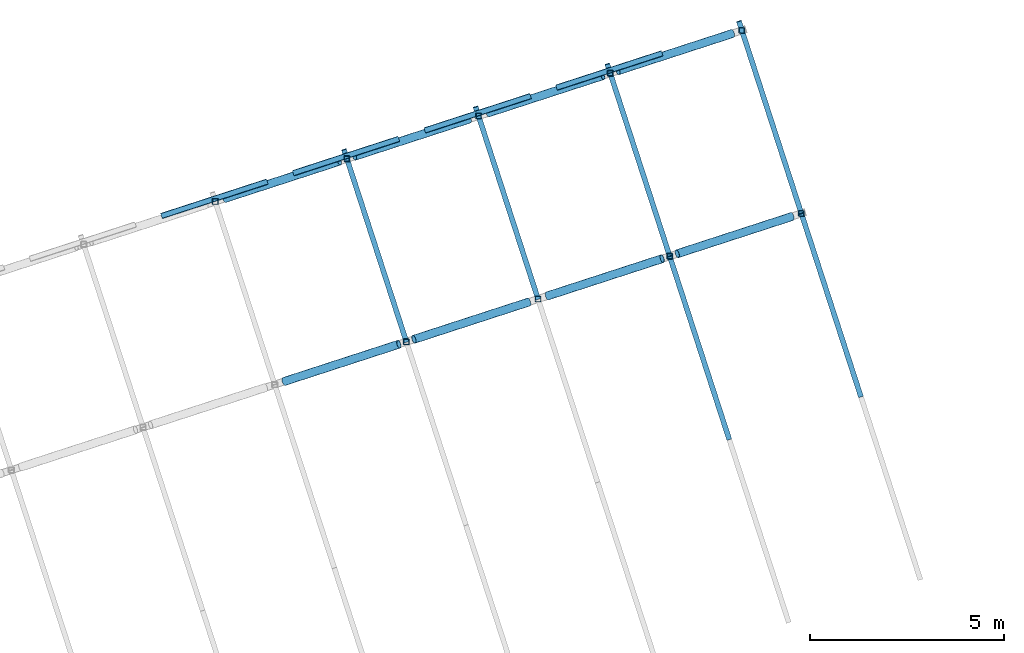
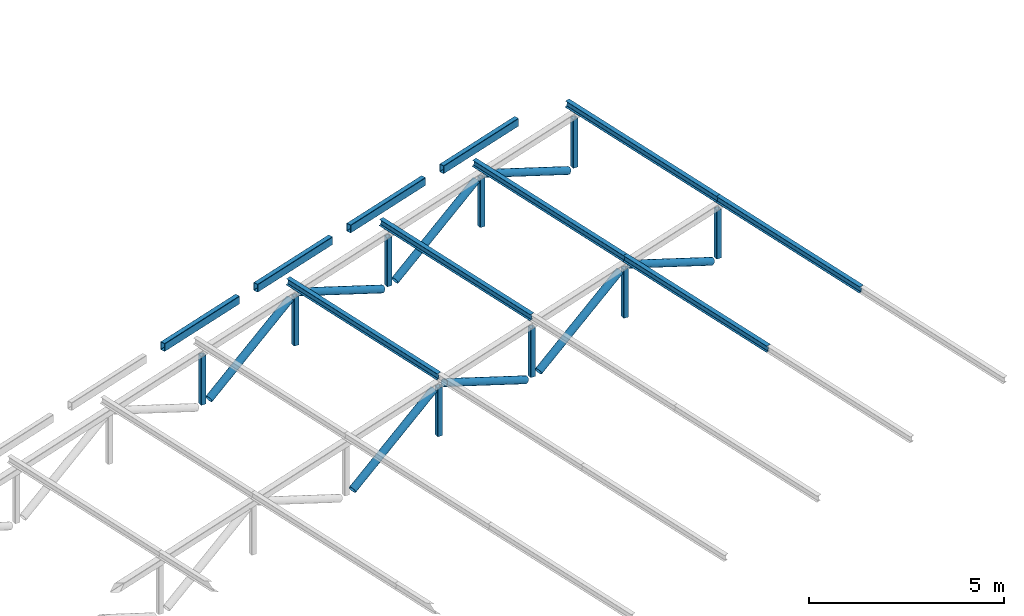
# One storey, part 8 of 43: 27 members.
"""IFC4 building model written with IfcOpenShell, lengths in metres."""

from ifc_helpers import new_model, si_unit, direction, frame, origin, origin_2d, place, context, subcontext, project, spatial, hollow_rectangle, hollow_circle, i_section, extrude, material, material_profile, profile_set, type_object, element, save


model = new_model("IFC4")

# Units and contexts
model_context = context("Model", 3, precision=1e-05, world=origin(), true_north=direction((0.0, 1.0)))
body_context = subcontext(model_context, "Body", "Model", "MODEL_VIEW")
ifc_project = project(units=[si_unit("LENGTHUNIT", "METRE"), si_unit("AREAUNIT", "SQUARE_METRE"), si_unit("VOLUMEUNIT", "CUBIC_METRE"), si_unit("PLANEANGLEUNIT", "RADIAN"), si_unit("MASSUNIT", "GRAM", prefix="KILO")], contexts=[model_context])

# Site, building, storey
site_placement = place(None, origin())
site = spatial("IfcSite", under=ifc_project, at=site_placement, CompositionType="ELEMENT")
building_placement = place(site_placement, origin())
building = spatial("IfcBuilding", under=site, at=building_placement, Name="Tuart Plaza Theatre", CompositionType="ELEMENT")
storey_placement = place(building_placement, frame((0.0, 0.0, 33.5)))
storey = spatial("IfcBuildingStorey", under=building, at=storey_placement, Name="L08", CompositionType="ELEMENT", Elevation=33.5)

# Members
ifc_material_1 = material(Name="Steel Grade C350L0", Category="steel")
ifc_material_profile_1 = material_profile(ifc_material_1, hollow_rectangle(XDim=0.14990234375, YDim=0.25, WallThickness=0.009033203125, InnerFilletRadius=0.009033203125, OuterFilletRadius=0.01806640625, at=origin_2d()), Name="250x150x9 RHS")
ifc_profile_set_1 = profile_set([ifc_material_profile_1], Name="Steel Grade C350L0")
member_type_1 = type_object("IfcMemberType", Name="CROWN BLADE Tie 250x150x9 RHS", PredefinedType="CHORD", material=ifc_profile_set_1)
member_1_placement = place(storey_placement, frame((47.573974609375, 91.760498046875, 2.34130859375), z_axis=(0.951062284761, 0.308999240298, 0.0), x_axis=(-0.308999240298, 0.951062284761, 0.0)))
element("IfcMember", 1, at=member_1_placement, inside=storey, type_object=member_type_1, Name="CH27", PredefinedType="CHORD", context=body_context, shape_type="SweptSolid", body=[
    extrude(hollow_rectangle(XDim=0.14990234375, YDim=0.25, WallThickness=0.009033203125, InnerFilletRadius=0.009033203125, OuterFilletRadius=0.01806640625, at=origin_2d()), origin(), (0.0, 0.0, 1.0), 2.86083984375),
])
for number, where, z_axis, x_axis, name in (
    (2, (50.960693359375, 92.86083984375, 2.34130859375), (0.951070431632, 0.308974164089, 0.0), (-0.308974164089, 0.951070431632, 0.0), "CH27"),
    (3, (54.34765625, 93.961181640625, 2.34130859375), (0.951037204154, 0.309076424715, 0.0), (-0.309076424715, 0.951037204154, 0.0), "CH27"),
    (4, (57.734375, 95.061767578125, 2.34130859375), (0.951070431632, 0.308974164089, 0.0), (-0.308974164089, 0.951070431632, 0.0), "CH27"),
):
    element("IfcMember", number, at=place(storey_placement, frame(where, z_axis=z_axis, x_axis=x_axis)), inside=storey, type_object=member_type_1, Name=name, PredefinedType="CHORD", context=body_context, shape_type="SweptSolid", body=[
        extrude(hollow_rectangle(XDim=0.14990234375, YDim=0.25, WallThickness=0.009033203125, InnerFilletRadius=0.009033203125, OuterFilletRadius=0.01806640625, at=origin_2d()), origin(), (0.0, 0.0, 1.0), 2.861083984375),
    ])
ifc_material_2 = material(Name="Steel Grade C350L0", Category="steel")
ifc_material_profile_2 = material_profile(ifc_material_2, hollow_circle(Radius=0.109619140625, WallThickness=0.00830078125, at=origin_2d()), Name="219.1x8.2 CHS")
ifc_profile_set_2 = profile_set([ifc_material_profile_2], Name="Steel Grade C350L0")
member_type_2 = type_object("IfcMemberType", Name="MEMBER Brace 219.1x8.2 CHS", PredefinedType="BRACE", material=ifc_profile_set_2)
for number, where, z_axis, x_axis, name in (
    (5, (50.72900390625, 87.50244140625, -0.659423828125), (0.853589339683, 0.277280613528, 0.441022335649), (-0.308949091736, 0.95107857652, 0.0), "BR83"),
    (6, (54.0673828125, 88.587158203125, 0.865478515625), (0.853572626097, 0.277345791654, -0.441013700273), (-0.30902025289, 0.951055457533, 0.0), "BR84"),
    (7, (57.502685546875, 89.703125, -0.659423828125), (0.853572626097, 0.277345791654, 0.441013700273), (-0.30902025289, 0.951055457533, 0.0), "BR85"),
    (8, (60.841064453125, 90.787841796875, 0.865478515625), (0.853572626097, 0.277345791654, -0.441013700273), (-0.30902025289, 0.951055457533, 0.0), "BR86"),
    (9, (49.199462890625, 92.2099609375, -0.13916015625), (0.853572626097, 0.277345791654, 0.441013700273), (-0.30902025289, 0.951055457533, 0.0), "BR91"),
    (10, (52.537841796875, 93.294677734375, 1.3857421875), (0.853572626097, 0.277345791654, -0.441013700273), (-0.30902025289, 0.951055457533, 0.0), "BR92"),
    (11, (55.97314453125, 94.410888671875, -0.13916015625), (0.853572626097, 0.277345791654, 0.441013700273), (-0.30902025289, 0.951055457533, 0.0), "BR93"),
    (12, (59.3115234375, 95.49560546875, 1.3857421875), (0.853572626097, 0.277345791654, -0.441013700273), (-0.30902025289, 0.951055457533, 0.0), "BR94"),
):
    element("IfcMember", number, at=place(storey_placement, frame(where, z_axis=z_axis, x_axis=x_axis)), inside=storey, type_object=member_type_2, Name=name, PredefinedType="BRACE", context=body_context, shape_type="SweptSolid", body=[
        extrude(hollow_circle(Radius=0.109619140625, WallThickness=0.00830078125, at=origin_2d()), origin(), (0.0, 0.0, 1.0), 3.457763671875),
    ])
ifc_material_3 = material(Name="Steel Grade C350L0", Category="steel")
ifc_material_profile_3 = material_profile(ifc_material_3, hollow_rectangle(XDim=0.14990234375, YDim=0.14990234375, WallThickness=0.009033203125, InnerFilletRadius=0.009033203125, OuterFilletRadius=0.01806640625, at=origin_2d()), Name="150x150x9 SHS")
ifc_profile_set_3 = profile_set([ifc_material_profile_3], Name="Steel Grade C350L0")
member_type_3 = type_object("IfcMemberType", Name="MEMBER Post 150x150x9 SHS", PredefinedType="POST", material=ifc_profile_set_3)
for number, where, z_axis, x_axis, name in (
    (13, (53.8740234375, 88.524169921875, -0.659423828125), (0.0, 0.0, 1.0), (1.0, 0.0, 0.0), "PO95"),
    (14, (57.2607421875, 89.62451171875, -0.659423828125), (0.0, 0.0, 1.0), (1.0, 0.0, 0.0), "PO96"),
    (15, (60.647705078125, 90.72509765625, -0.659423828125), (0.0, 0.0, 1.0), (1.0, 0.0, 0.0), "PO97"),
    (16, (64.034423828125, 91.825439453125, -0.659423828125), (0.0, 0.0, 1.0), (1.0, 0.0, 0.0), "PO98"),
    (17, (48.95751953125, 92.13134765625, -0.13916015625), (0.0, 0.0, 1.0), (1.0, 0.0, 0.0), "PO103"),
    (18, (52.34423828125, 93.23193359375, -0.13916015625), (0.0, 0.0, 1.0), (1.0, 0.0, 0.0), "PO104"),
    (19, (55.731201171875, 94.332275390625, -0.13916015625), (0.0, 0.0, 1.0), (1.0, 0.0, 0.0), "PO105"),
    (20, (59.117919921875, 95.432861328125, -0.13916015625), (0.0, 0.0, 1.0), (1.0, 0.0, 0.0), "PO106"),
    (21, (62.5048828125, 96.533203125, -0.13916015625), (0.0, 0.0, 1.0), (1.0, 0.0, 0.0), "PO107"),
):
    element("IfcMember", number, at=place(storey_placement, frame(where, z_axis=z_axis, x_axis=x_axis)), inside=storey, type_object=member_type_3, Name=name, PredefinedType="POST", context=body_context, shape_type="SweptSolid", body=[
        extrude(hollow_rectangle(XDim=0.14990234375, YDim=0.14990234375, WallThickness=0.009033203125, InnerFilletRadius=0.009033203125, OuterFilletRadius=0.01806640625, at=origin_2d()), origin(), (0.0, 0.0, 1.0), 1.52490234375),
    ])
ifc_material_4 = material(Name="Steel Grade 300", Category="steel")
ifc_material_profile_4 = material_profile(ifc_material_4, i_section(OverallWidth=0.133056640625, OverallDepth=0.202880859375, WebThickness=0.005859375, FlangeThickness=0.0078125, FilletRadius=0.0087890625, at=origin_2d()), Name="200UB25.4")
ifc_profile_set_4 = profile_set([ifc_material_profile_4], Name="Steel Grade 300")
member_type_4 = type_object("IfcMemberType", Name="MEMBER Purlin 200UB25.4", PredefinedType="PURLIN", material=ifc_profile_set_4)
for number, where, z_axis, x_axis, name in (
    (22, (53.8740234375, 88.524169921875, 1.17822265625), (-0.307329464254, 0.945848215952, 0.104497620936), (-0.951055112834, -0.309021313752, 0.0), "PU102"),
    (23, (57.2607421875, 89.62451171875, 1.17822265625), (-0.307329464254, 0.945848215952, 0.104497620936), (-0.951055112834, -0.309021313752, 0.0), "PU106"),
):
    element("IfcMember", number, at=place(storey_placement, frame(where, z_axis=z_axis, x_axis=x_axis)), inside=storey, type_object=member_type_4, Name=name, PredefinedType="PURLIN", context=body_context, shape_type="SweptSolid", body=[
        extrude(i_section(OverallWidth=0.133056640625, OverallDepth=0.202880859375, WebThickness=0.005859375, FlangeThickness=0.0078125, FilletRadius=0.0087890625, at=origin_2d()), origin(), (0.0, 0.0, 1.0), 5.228759765625),
    ])
member_2_placement = place(storey_placement, frame((62.17724609375, 86.017333984375, 0.65771484375), z_axis=(-0.30730368537, 0.945847879488, 0.104576449674), x_axis=(-0.951062698329, -0.308997967382, 0.0)))
element("IfcMember", 24, at=member_2_placement, inside=storey, type_object=member_type_4, Name="PU109", PredefinedType="PURLIN", context=body_context, shape_type="SweptSolid", body=[
    extrude(i_section(OverallWidth=0.133056640625, OverallDepth=0.202880859375, WebThickness=0.005859375, FlangeThickness=0.0078125, FilletRadius=0.0087890625, at=origin_2d()), origin(), (0.0, 0.0, 1.0), 4.977294921875),
])
member_3_placement = place(storey_placement, frame((60.647705078125, 90.72509765625, 1.17822265625), z_axis=(-0.307329464254, 0.945848215952, 0.104497620936), x_axis=(-0.951055112834, -0.309021313752, 0.0)))
element("IfcMember", 25, at=member_3_placement, inside=storey, type_object=member_type_4, Name="PU110", PredefinedType="PURLIN", context=body_context, shape_type="SweptSolid", body=[
    extrude(i_section(OverallWidth=0.133056640625, OverallDepth=0.202880859375, WebThickness=0.005859375, FlangeThickness=0.0078125, FilletRadius=0.0087890625, at=origin_2d()), origin(), (0.0, 0.0, 1.0), 5.228759765625),
])
member_4_placement = place(storey_placement, frame((65.564208984375, 87.11767578125, 0.65771484375), z_axis=(-0.307348103087, 0.945833621423, 0.10457487325), x_axis=(-0.951048203135, -0.309042578481, 0.0)))
element("IfcMember", 26, at=member_4_placement, inside=storey, type_object=member_type_4, Name="PU113", PredefinedType="PURLIN", context=body_context, shape_type="SweptSolid", body=[
    extrude(i_section(OverallWidth=0.133056640625, OverallDepth=0.202880859375, WebThickness=0.005859375, FlangeThickness=0.0078125, FilletRadius=0.0087890625, at=origin_2d()), origin(), (0.0, 0.0, 1.0), 4.977294921875),
])
member_5_placement = place(storey_placement, frame((64.034423828125, 91.825439453125, 1.17822265625), z_axis=(-0.307329464254, 0.945848215952, 0.104497620936), x_axis=(-0.951055112834, -0.309021313752, 0.0)))
element("IfcMember", 27, at=member_5_placement, inside=storey, type_object=member_type_4, Name="PU114", PredefinedType="PURLIN", context=body_context, shape_type="SweptSolid", body=[
    extrude(i_section(OverallWidth=0.133056640625, OverallDepth=0.202880859375, WebThickness=0.005859375, FlangeThickness=0.0078125, FilletRadius=0.0087890625, at=origin_2d()), origin(), (0.0, 0.0, 1.0), 5.228759765625),
])

save(model, "model.ifc")
